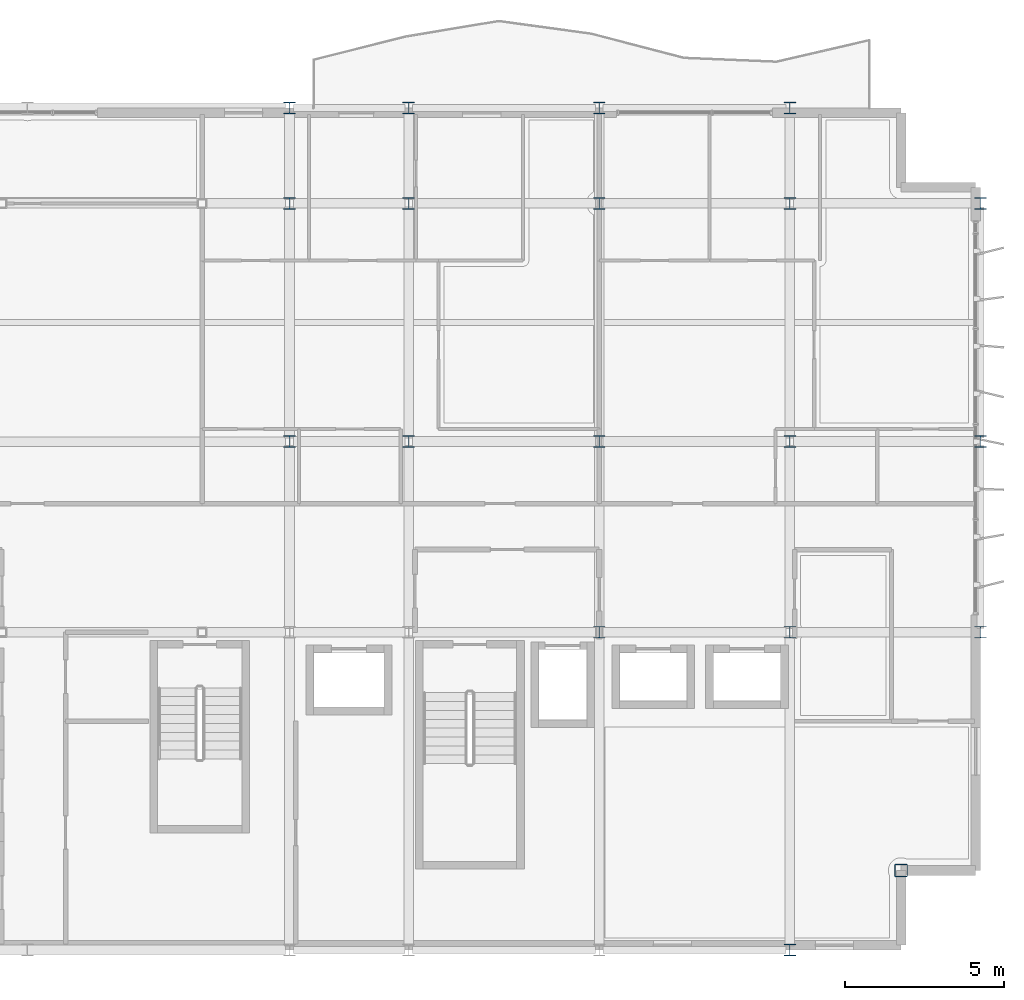
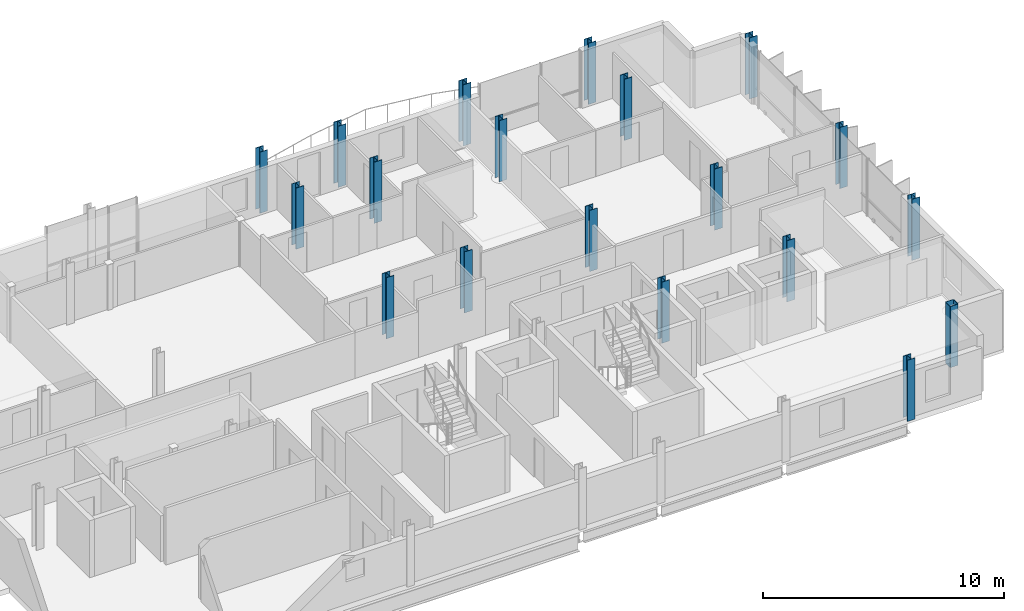
# One storey, part 2 of 35: 19 columns.
"""IFC4 building model written with IfcOpenShell, lengths in metres."""

from ifc_helpers import new_model, si_unit, direction, frame, origin, origin_2d, place, context, subcontext, project, spatial, hollow_rectangle, i_section, extrude, material, material_profile, profile_set, type_object, element, save


model = new_model("IFC4")

# Units and contexts
model_context = context("Model", 3, precision=1e-05, world=origin(), true_north=direction((0.0, 1.0)))
body_context = subcontext(model_context, "Body", "Model", "MODEL_VIEW")
ifc_project = project(units=[si_unit("LENGTHUNIT", "METRE"), si_unit("AREAUNIT", "SQUARE_METRE"), si_unit("VOLUMEUNIT", "CUBIC_METRE"), si_unit("PLANEANGLEUNIT", "RADIAN"), si_unit("MASSUNIT", "GRAM", prefix="KILO")], contexts=[model_context])

# Site, building, storey
site_placement = place(None, origin())
site = spatial("IfcSite", under=ifc_project, at=site_placement, CompositionType="ELEMENT")
building_placement = place(site_placement, origin())
building = spatial("IfcBuilding", under=site, at=building_placement, Name="Brevholm Reach", CompositionType="ELEMENT")
storey_placement = place(building_placement, frame((0.0, 0.0, 218.0)))
storey = spatial("IfcBuildingStorey", under=building, at=storey_placement, Name="L66", CompositionType="ELEMENT", Elevation=218.0)

# Columns
ifc_material_1 = material(Name="Structural Steel S460NH", Category="steel")
ifc_material_profile_1 = material_profile(ifc_material_1, hollow_rectangle(XDim=0.39990234375, YDim=0.39990234375, WallThickness=0.02001953125, InnerFilletRadius=0.011962890625, OuterFilletRadius=0.02392578125, at=origin_2d()), Name="SHS 400x400x20")
ifc_profile_set_1 = profile_set([ifc_material_profile_1], Name="Structural Steel S460NH")
column_type_1 = type_object("IfcColumnType", Name="COL-SHS2", PredefinedType="COLUMN", material=ifc_profile_set_1)
column_placement = place(storey_placement, frame((57.5, 2.5, 0.0), z_axis=(0.0, 0.0, 1.0), x_axis=(1.0, 0.0, 0.0)))
element("IfcColumn", 1, at=column_placement, inside=storey, type_object=column_type_1, Name="L66 Column 50", PredefinedType="COLUMN", context=body_context, shape_type="SweptSolid", body=[
    extrude(hollow_rectangle(XDim=0.39990234375, YDim=0.39990234375, WallThickness=0.02001953125, InnerFilletRadius=0.011962890625, OuterFilletRadius=0.02392578125, at=origin_2d()), origin(), (0.0, 0.0, 1.0), 3.10009765625),
])
ifc_material_2 = material(Name="Structural Steel S355J2", Category="steel")
ifc_material_profile_2 = material_profile(ifc_material_2, i_section(OverallWidth=0.374755859375, OverallDepth=0.37451171875, WebThickness=0.0166015625, FlangeThickness=0.027099609375, FilletRadius=0.01513671875, at=origin_2d()), Name="UKC 356x368x202")
ifc_profile_set_2 = profile_set([ifc_material_profile_2], Name="Structural Steel S355J2")
column_type_2 = type_object("IfcColumnType", Name="COL-UC6", PredefinedType="COLUMN", material=ifc_profile_set_2)
for number, where, z_axis, x_axis, name in (
    (2, (38.25, 16.0, 0.0), (0.0, 0.0, 1.0), (1.0, 0.0, 0.0), "L66 Column 32"),
    (3, (38.25, 23.5, 0.0), (0.0, 0.0, 1.0), (1.0, 0.0, 0.0), "L66 Column 33"),
    (4, (38.25, 26.5, 0.0), (0.0, 0.0, 1.0), (1.0, 0.0, 0.0), "L66 Column 34"),
    (5, (42.0, 16.0, 0.0), (0.0, 0.0, 1.0), (1.0, 0.0, 0.0), "L66 Column 37"),
    (6, (42.0, 23.5, 0.0), (0.0, 0.0, 1.0), (1.0, 0.0, 0.0), "L66 Column 38"),
    (7, (42.0, 26.5, 0.0), (0.0, 0.0, 1.0), (1.0, 0.0, 0.0), "L66 Column 39"),
    (8, (48.0, 10.0, 0.0), (0.0, 0.0, 1.0), (1.0, 0.0, 0.0), "L66 Column 41"),
    (9, (48.0, 16.0, 0.0), (0.0, 0.0, 1.0), (1.0, 0.0, 0.0), "L66 Column 42"),
    (10, (48.0, 23.5, 0.0), (0.0, 0.0, 1.0), (1.0, 0.0, 0.0), "L66 Column 43"),
    (11, (48.0, 26.5, 0.0), (0.0, 0.0, 1.0), (1.0, 0.0, 0.0), "L66 Column 44"),
    (12, (54.0, 0.0, 0.0), (0.0, 0.0, 1.0), (1.0, 0.0, 0.0), "L66 Column 45"),
    (13, (54.0, 10.0, 0.0), (0.0, 0.0, 1.0), (1.0, 0.0, 0.0), "L66 Column 46"),
    (14, (54.0, 16.0, 0.0), (0.0, 0.0, 1.0), (1.0, 0.0, 0.0), "L66 Column 47"),
    (15, (54.0, 23.5, 0.0), (0.0, 0.0, 1.0), (1.0, 0.0, 0.0), "L66 Column 48"),
    (16, (54.0, 26.5, 0.0), (0.0, 0.0, 1.0), (1.0, 0.0, 0.0), "L66 Column 49"),
    (17, (60.0, 10.0, 0.0), (0.0, 0.0, 1.0), (1.0, 0.0, 0.0), "L66 Column 51"),
    (18, (60.0, 16.0, 0.0), (0.0, 0.0, 1.0), (1.0, 0.0, 0.0), "L66 Column 52"),
    (19, (60.0, 23.5, 0.0), (0.0, 0.0, 1.0), (1.0, 0.0, 0.0), "L66 Column 53"),
):
    element("IfcColumn", number, at=place(storey_placement, frame(where, z_axis=z_axis, x_axis=x_axis)), inside=storey, type_object=column_type_2, Name=name, PredefinedType="COLUMN", context=body_context, shape_type="SweptSolid", body=[
        extrude(i_section(OverallWidth=0.374755859375, OverallDepth=0.37451171875, WebThickness=0.0166015625, FlangeThickness=0.027099609375, FilletRadius=0.01513671875, at=origin_2d()), origin(), (0.0, 0.0, 1.0), 3.10009765625),
    ])

save(model, "model.ifc")
